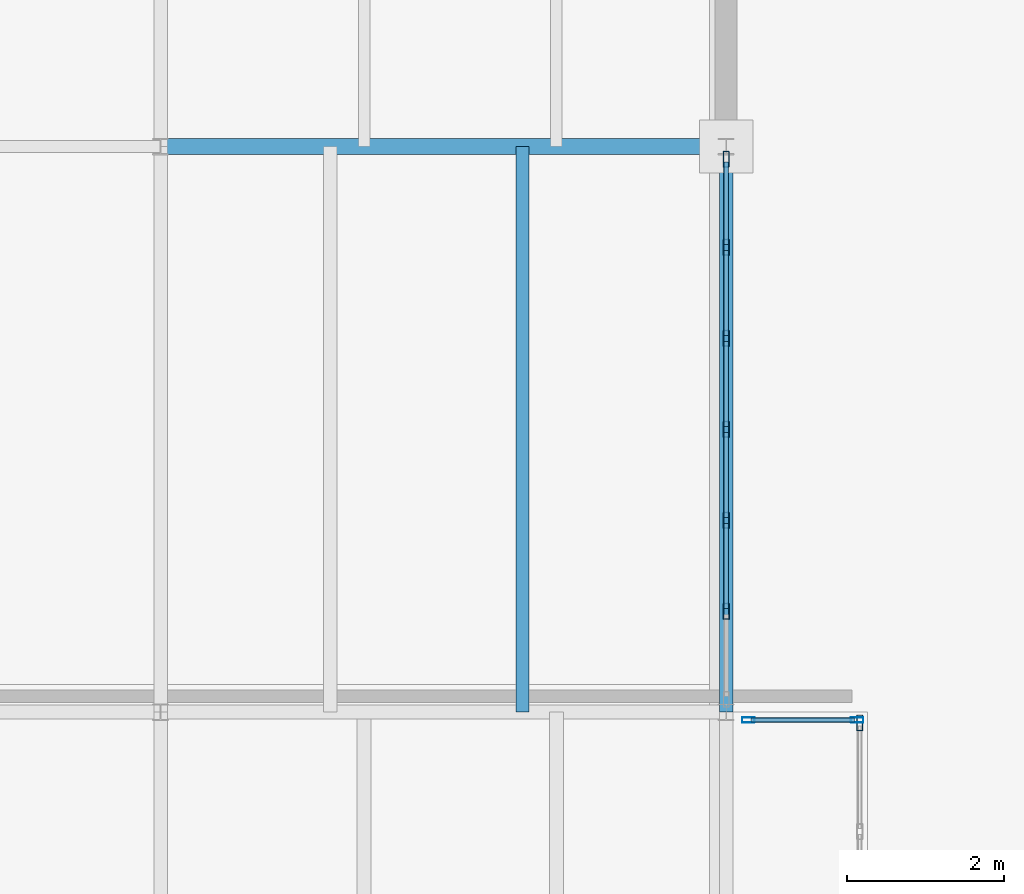
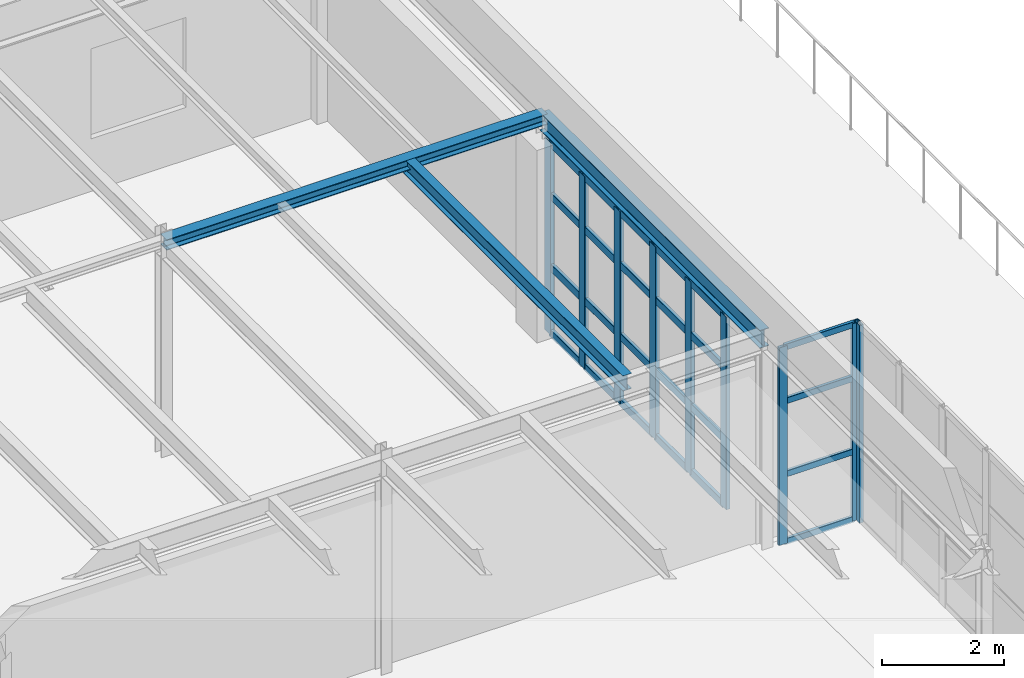
# One storey, part 35 of 43: 33 members, 3 beams, 3 elements without a shape of their own.
"""IFC4 building model written with IfcOpenShell, lengths in metres."""

import ifcopenshell
import ifcopenshell.guid

model = None  # the IFC model being written
_history = None  # IfcOwnerHistory: only IFC2X3 demands one
_inside = {}  # id of a spatial element -> (the spatial element, [elements in it])
_under = {}  # id of a project, library or spatial element -> (it, [spatial elements below it])
_declared = {}  # id of a project -> (the project, [libraries it declares])
_typed = {}  # id of a type object -> (the type object, [elements of that type])
_made_of = {}  # id of a material, layer set ... -> (it, [elements and type objects made of it])


def new_model(schema):
    """Start an empty IFC model of exactly this schema.

    Asked for "IFC4X3", IfcOpenShell would pick the latest addendum, in which some entities
    have other attributes; the version numbers below select the first issue.
    IFC2X3 requires an IfcOwnerHistory on every rooted entity: one is made here for all.
    """
    global model, _history
    if schema == "IFC4X3":
        model = ifcopenshell.file(schema_version=(4, 3, 0, 0))
    else:
        model = ifcopenshell.file(schema=schema)
    _inside.clear()
    _under.clear()
    _declared.clear()
    _typed.clear()
    _made_of.clear()
    _history = None
    if model.schema == "IFC2X3":
        org = make("IfcOrganization", Name="unknown")
        user = make(
            "IfcPersonAndOrganization",
            ThePerson=make("IfcPerson", FamilyName="unknown"),
            TheOrganization=org,
        )
        app = make(
            "IfcApplication",
            ApplicationDeveloper=org,
            Version="unknown",
            ApplicationFullName="unknown",
            ApplicationIdentifier="unknown",
        )
        _history = make(
            "IfcOwnerHistory",
            OwningUser=user,
            OwningApplication=app,
            ChangeAction="ADDED",
            CreationDate=0,
        )
    return model


def make(cls, **values):
    """One entity of the class cls with the attributes given. An attribute that is None is left unset."""
    return model.create_entity(
        cls, **{name: value for name, value in values.items() if value is not None}
    )


def rooted(cls, **values):
    """An entity with a GlobalId (a new one), such as an element, a storey or a relation."""
    return make(cls, GlobalId=ifcopenshell.guid.new(), OwnerHistory=_history, **values)


def si_unit(unit_type, name, prefix=None):
    """IfcSIUnit, for example si_unit("LENGTHUNIT", "METRE", prefix="MILLI")."""
    return make("IfcSIUnit", UnitType=unit_type, Prefix=prefix, Name=name)


def assignment(units):
    """IfcUnitAssignment: the units of a project."""
    return None if units is None else make("IfcUnitAssignment", Units=units)


def point(xyz):
    """IfcCartesianPoint."""
    return None if xyz is None else make("IfcCartesianPoint", Coordinates=xyz)


def direction(xyz):
    """IfcDirection."""
    return None if xyz is None else make("IfcDirection", DirectionRatios=xyz)


def frame(location, z_axis=None, x_axis=None):
    """IfcAxis2Placement3D, a coordinate frame: its origin and axes. An axis left out is left unset."""
    return make(
        "IfcAxis2Placement3D",
        Location=point(location),
        Axis=direction(z_axis),
        RefDirection=direction(x_axis),
    )


def frame_2d(location, x_axis=None):
    """IfcAxis2Placement2D, a coordinate frame in the plane: its origin and x axis."""
    return make(
        "IfcAxis2Placement2D", Location=point(location), RefDirection=direction(x_axis)
    )


def origin():
    """The frame at (0, 0, 0) with its axes left unset."""
    return frame((0.0, 0.0, 0.0))


def origin_2d():
    """The frame at (0, 0) in the plane with its x axis left unset."""
    return frame_2d((0.0, 0.0))


def place(relative_to, where):
    """IfcLocalPlacement: puts the frame where relative to a parent placement (None: the world)."""
    return make(
        "IfcLocalPlacement", PlacementRelTo=relative_to, RelativePlacement=where
    )


def context(
    kind, dimensions, precision=None, world=None, true_north=None, identifier=None
):
    """IfcGeometricRepresentationContext, for example the 3D "Model" context."""
    return make(
        "IfcGeometricRepresentationContext",
        ContextIdentifier=identifier,
        ContextType=kind,
        CoordinateSpaceDimension=dimensions,
        Precision=precision,
        WorldCoordinateSystem=world,
        TrueNorth=true_north,
    )


def subcontext(parent, identifier, kind, view, scale=None):
    """IfcGeometricRepresentationSubContext, for example "Body" below "Model"."""
    return make(
        "IfcGeometricRepresentationSubContext",
        ContextIdentifier=identifier,
        ContextType=kind,
        ParentContext=parent,
        TargetScale=scale,
        TargetView=view,
    )


def project(units=None, contexts=None):
    """IfcProject with its units and contexts."""
    return rooted(
        "IfcProject",
        Name="project",
        RepresentationContexts=contexts,
        UnitsInContext=assignment(units),
    )


def spatial(cls, under=None, at=None, **own):
    """A site, building, storey or space (cls), placed at a placement, below another one or the project."""
    s = rooted(cls, ObjectPlacement=at, **own)
    if under is not None:
        _under.setdefault(under.id(), (under, []))[1].append(s)
    return s


def profile(cls, at=None, kind="AREA", **sizes):
    """A parametric profile (cls). Its sizes go by their IFC names, for example OverallWidth=200.0."""
    return make(cls, ProfileType=kind, Position=at, **sizes)


def hollow_rectangle(**sizes):
    """IfcRectangleHollowProfileDef."""
    return profile("IfcRectangleHollowProfileDef", **sizes)


def i_section(**sizes):
    """IfcIShapeProfileDef."""
    return profile("IfcIShapeProfileDef", **sizes)


def extrude(swept, where, along, depth):
    """IfcExtrudedAreaSolid: the profile swept, set in the frame where, extruded along a direction by depth."""
    return make(
        "IfcExtrudedAreaSolid",
        SweptArea=swept,
        Position=where,
        ExtrudedDirection=direction(along),
        Depth=depth,
    )


def shape(context_of_items, identifier, shape_type, items):
    """IfcShapeRepresentation: the items that make up one representation, for example the "Body"."""
    return make(
        "IfcShapeRepresentation",
        ContextOfItems=context_of_items,
        RepresentationIdentifier=identifier,
        RepresentationType=shape_type,
        Items=items,
    )


def material(Name=None, Category=None):
    """IfcMaterial."""
    return make("IfcMaterial", Name=Name, Category=Category)


def layer(
    of_material, thickness, ventilated=None, Name=None, Category=None, Priority=None
):
    """IfcMaterialLayer: one layer of a wall or slab, of a material (None: an air gap)."""
    return make(
        "IfcMaterialLayer",
        Material=of_material,
        LayerThickness=thickness,
        IsVentilated=ventilated,
        Name=Name,
        Category=Category,
        Priority=Priority,
    )


def layer_set(layers, Name=None):
    """IfcMaterialLayerSet."""
    return make("IfcMaterialLayerSet", MaterialLayers=layers, LayerSetName=Name)


def material_profile(
    of_material, cross_section, Name=None, Category=None, Priority=None
):
    """IfcMaterialProfile: a cross section and its material."""
    return make(
        "IfcMaterialProfile",
        Name=Name,
        Material=of_material,
        Profile=cross_section,
        Priority=Priority,
        Category=Category,
    )


def profile_set(profiles, Name=None, composite=None):
    """IfcMaterialProfileSet."""
    return make(
        "IfcMaterialProfileSet",
        Name=Name,
        MaterialProfiles=profiles,
        CompositeProfile=composite,
    )


def made_of(thing, what):
    """Note that an element or type object is made of a material, layer set ...; save() writes the relation."""
    if what is not None:
        _made_of.setdefault(what.id(), (what, []))[1].append(thing)
    return thing


def type_object(cls, material=None, **own):
    """A type object (cls), such as IfcWallType, which elements share."""
    return made_of(rooted(cls, **own), material)


def element(
    cls,
    number,
    at=None,
    inside=None,
    cuts=None,
    type_object=None,
    material=None,
    context=None,
    identifier="Body",
    shape_type=None,
    held_by="IfcProductDefinitionShape",
    body=None,
    shapes=None,
    **own,
):
    """One element of the class cls, such as IfcWall. Its Tag is "e" and its number.

    at: its placement. inside: the storey or other place that contains it. cuts: it is an
    opening in that element (IfcRelVoidsElement). A single representation is given by context,
    identifier, shape_type and body (its items); several are given by shapes. held_by: the class
    of the entity that holds the representations. save() writes the other relations.
    """
    e = rooted(cls, Tag="e%d" % number, ObjectPlacement=at, **own)
    if body is not None:
        shapes = [shape(context, identifier, shape_type, body)]
    if shapes is not None:
        e.Representation = make(held_by, Representations=shapes)
    if inside is not None:
        _inside.setdefault(inside.id(), (inside, []))[1].append(e)
    if cuts is not None:
        rooted(
            "IfcRelVoidsElement", RelatingBuildingElement=cuts, RelatedOpeningElement=e
        )
    if type_object is not None:
        _typed.setdefault(type_object.id(), (type_object, []))[1].append(e)
    return made_of(e, material)


def aggregate(whole, parts):
    """IfcRelAggregates: a whole, such as a stair, and the parts it consists of."""
    return rooted("IfcRelAggregates", RelatingObject=whole, RelatedObjects=parts)


def save(model, path):
    """Write the relations noted so far, then the file.

    IfcRelAggregates (storeys below a building ...), IfcRelContainedInSpatialStructure (elements
    in a storey), IfcRelDefinesByType, IfcRelAssociatesMaterial and IfcRelDeclares: one each for
    every whole, place, type object, material and project.
    """
    for whole, parts in _under.values():
        aggregate(whole, parts)
    for where, things in _inside.values():
        rooted(
            "IfcRelContainedInSpatialStructure",
            RelatedElements=things,
            RelatingStructure=where,
        )
    for kind, things in _typed.values():
        rooted("IfcRelDefinesByType", RelatedObjects=things, RelatingType=kind)
    for what, things in _made_of.values():
        rooted("IfcRelAssociatesMaterial", RelatedObjects=things, RelatingMaterial=what)
    for by, libraries in _declared.values():
        rooted("IfcRelDeclares", RelatingContext=by, RelatedDefinitions=libraries)
    model.write(path)


model = new_model("IFC4")

# Units and contexts
model_context = context("Model", 3, precision=1e-05, world=origin(), true_north=direction((0.0, 1.0)))
body_context = subcontext(model_context, "Body", "Model", "MODEL_VIEW")
ifc_project = project(units=[si_unit("LENGTHUNIT", "METRE"), si_unit("AREAUNIT", "SQUARE_METRE"), si_unit("VOLUMEUNIT", "CUBIC_METRE"), si_unit("PLANEANGLEUNIT", "RADIAN"), si_unit("MASSUNIT", "GRAM", prefix="KILO")], contexts=[model_context])

# Site, building, storey
site_placement = place(None, origin())
site = spatial("IfcSite", under=ifc_project, at=site_placement, CompositionType="ELEMENT")
building_placement = place(site_placement, origin())
building = spatial("IfcBuilding", under=site, at=building_placement, Name="Kemerveld Promenade Tramway Depot", CompositionType="ELEMENT")
storey_placement = place(building_placement, frame((0.0, 0.0, 18.89990234375)))
storey = spatial("IfcBuildingStorey", under=building, at=storey_placement, Name="L04", CompositionType="ELEMENT", Elevation=18.89990234375)

# Beams
ifc_material_1 = material(Name="Steel S355", Category="steel")
ifc_material_profile_1 = material_profile(ifc_material_1, i_section(OverallWidth=0.172119140625, OverallDepth=0.35791015625, WebThickness=0.008056640625, FlangeThickness=0.012939453125, FilletRadius=0.01025390625, at=origin_2d()), Name="356x171x57 UB")
ifc_profile_set_1 = profile_set([ifc_material_profile_1], Name="Steel S355")
beam_type_1 = type_object("IfcBeamType", Name="BM-G08", PredefinedType="BEAM", material=ifc_profile_set_1)
beam_1_placement = place(storey_placement, frame((36.0, 43.199951171875, 4.14111328125), z_axis=(0.0, 1.0, 0.0), x_axis=(-1.0, 0.0, 0.0)))
element("IfcBeam", 1, at=beam_1_placement, inside=storey, type_object=beam_type_1, Name="BMY-L04-06-G-H", PredefinedType="BEAM", context=body_context, shape_type="SweptSolid", body=[
    extrude(i_section(OverallWidth=0.172119140625, OverallDepth=0.35791015625, WebThickness=0.008056640625, FlangeThickness=0.012939453125, FilletRadius=0.01025390625, at=origin_2d()), origin(), (0.0, 0.0, 1.0), 7.199951171875),
])
ifc_material_profile_2 = material_profile(ifc_material_1, i_section(OverallWidth=0.165771484375, OverallDepth=0.306640625, WebThickness=0.006591796875, FlangeThickness=0.01171875, FilletRadius=0.0087890625, at=origin_2d()), Name="305x165x46 UB")
ifc_profile_set_2 = profile_set([ifc_material_profile_2], Name="Steel S355")
beam_type_2 = type_object("IfcBeamType", Name="BM-J01", PredefinedType="JOIST", material=ifc_profile_set_2)
beam_2_placement = place(storey_placement, frame((33.407958984375, 43.199951171875, 4.166748046875), z_axis=(0.0, 1.0, 0.0), x_axis=(-1.0, 0.0, 0.0)))
element("IfcBeam", 2, at=beam_2_placement, inside=storey, type_object=beam_type_2, Name="JST-L04-05-G-2", PredefinedType="JOIST", context=body_context, shape_type="SweptSolid", body=[
    extrude(i_section(OverallWidth=0.165771484375, OverallDepth=0.306640625, WebThickness=0.006591796875, FlangeThickness=0.01171875, FilletRadius=0.0087890625, at=origin_2d()), origin(), (0.0, 0.0, 1.0), 7.199951171875),
])
ifc_material_profile_3 = material_profile(ifc_material_1, i_section(OverallWidth=0.205810546875, OverallDepth=0.209716796875, WebThickness=0.009521484375, FlangeThickness=0.01416015625, FilletRadius=0.01025390625, at=origin_2d()), Name="203x203x60 UC")
ifc_profile_set_3 = profile_set([ifc_material_profile_3], Name="Steel S355")
beam_type_3 = type_object("IfcBeamType", Name="BM-LN3", PredefinedType="LINTEL", material=ifc_profile_set_3)
beam_3_placement = place(storey_placement, frame((28.800048828125, 50.39990234375, 4.21533203125), z_axis=(1.0, 0.0, 0.0), x_axis=(0.0, 1.0, 0.0)))
element("IfcBeam", 3, at=beam_3_placement, inside=storey, type_object=beam_type_3, Name="BMX-L04-05-06-H", PredefinedType="LINTEL", context=body_context, shape_type="SweptSolid", body=[
    extrude(i_section(OverallWidth=0.205810546875, OverallDepth=0.209716796875, WebThickness=0.009521484375, FlangeThickness=0.01416015625, FilletRadius=0.01025390625, at=origin_2d()), origin(), (0.0, 0.0, 1.0), 7.199951171875),
])

# Curtain wall, members
ifc_material_2 = material(Name="Bronze anodised aluminium and solar glass", Category="aluminium")
ifc_layer_1 = layer(ifc_material_2, 0.159912109375)
ifc_layer_set_1 = layer_set([ifc_layer_1], Name="CW-SYS-03")
curtain_wall_type_1 = type_object("IfcCurtainWallType", Name="CW-SYS-03", PredefinedType="USERDEFINED", material=ifc_layer_set_1)
curtain_wall_1_placement = place(storey_placement, origin())
curtain_wall_1 = element("IfcCurtainWall", 4, at=curtain_wall_1_placement, inside=storey, type_object=curtain_wall_type_1, Name="CW-L04-CUMBA-N", ObjectType="GLAZED_CURTAIN_WALL", PredefinedType="USERDEFINED")
ifc_material_3 = material(Name="Bronze anodised aluminium", Category="aluminium")
ifc_material_profile_4 = material_profile(ifc_material_3, hollow_rectangle(XDim=0.06494140625, YDim=0.159912109375, WallThickness=0.00390625, InnerFilletRadius=0.001953125, OuterFilletRadius=0.00390625, at=origin_2d()), Name="CW-MUL-160x65")
ifc_profile_set_4 = profile_set([ifc_material_profile_4], Name="Bronze anodised aluminium")
member_type_1 = type_object("IfcMemberType", Name="CW-MUL-A", PredefinedType="MULLION", material=ifc_profile_set_4)
member_1_placement = place(storey_placement, frame((36.282470703125, 43.10009765625, 0.0), z_axis=(0.0, 0.0, 1.0), x_axis=(0.0, 1.0, 0.0)))
member_1 = element("IfcMember", 5, at=member_1_placement, type_object=member_type_1, Name="CW03 mullion 1", PredefinedType="MULLION", context=body_context, shape_type="SweptSolid", body=[
    extrude(hollow_rectangle(XDim=0.06494140625, YDim=0.159912109375, WallThickness=0.00390625, InnerFilletRadius=0.001953125, OuterFilletRadius=0.00390625, at=origin_2d()), origin(), (0.0, 0.0, 1.0), 3.9501953125),
])
member_2_placement = place(storey_placement, frame((37.66748046875, 43.10009765625, 0.0), z_axis=(0.0, 0.0, 1.0), x_axis=(0.0, 1.0, 0.0)))
member_2 = element("IfcMember", 6, at=member_2_placement, type_object=member_type_1, Name="CW03 mullion 2", PredefinedType="MULLION", context=body_context, shape_type="SweptSolid", body=[
    extrude(hollow_rectangle(XDim=0.06494140625, YDim=0.159912109375, WallThickness=0.00390625, InnerFilletRadius=0.001953125, OuterFilletRadius=0.00390625, at=origin_2d()), origin(), (0.0, 0.0, 1.0), 3.9501953125),
])

ifc_layer_2 = layer(ifc_material_2, 0.199951171875)
ifc_layer_set_2 = layer_set([ifc_layer_2], Name="CW-SYS-06")
curtain_wall_type_2 = type_object("IfcCurtainWallType", Name="CW-SYS-06", PredefinedType="USERDEFINED", material=ifc_layer_set_2)
curtain_wall_2_placement = place(storey_placement, origin())
curtain_wall_2 = element("IfcCurtainWall", 7, at=curtain_wall_2_placement, inside=storey, type_object=curtain_wall_type_2, Name="CW-L04-V5EN-02", ObjectType="GLAZED_CURTAIN_WALL", PredefinedType="USERDEFINED")
ifc_material_profile_5 = material_profile(ifc_material_3, hollow_rectangle(XDim=0.074951171875, YDim=0.199951171875, WallThickness=0.0048828125, InnerFilletRadius=0.001953125, OuterFilletRadius=0.0048828125, at=origin_2d()), Name="CW-MUL-200x75")
ifc_profile_set_5 = profile_set([ifc_material_profile_5], Name="Bronze anodised aluminium")
member_type_2 = type_object("IfcMemberType", Name="CW-MUL-B", PredefinedType="MULLION", material=ifc_profile_set_5)
member_3_placement = place(storey_placement, frame((36.0, 50.23779296875, 0.0), z_axis=(0.0, 0.0, 1.0), x_axis=(1.0, 0.0, 0.0)))
member_3 = element("IfcMember", 8, at=member_3_placement, type_object=member_type_2, Name="CW06 mullion 1", PredefinedType="MULLION", context=body_context, shape_type="SweptSolid", body=[
    extrude(hollow_rectangle(XDim=0.074951171875, YDim=0.199951171875, WallThickness=0.0048828125, InnerFilletRadius=0.001953125, OuterFilletRadius=0.0048828125, at=origin_2d()), origin(), (0.0, 0.0, 1.0), 3.85009765625),
])
member_4_placement = place(storey_placement, frame((36.0, 49.11669921875, 0.0), z_axis=(0.0, 0.0, 1.0), x_axis=(1.0, 0.0, 0.0)))
member_4 = element("IfcMember", 9, at=member_4_placement, type_object=member_type_2, Name="CW06 mullion 2", PredefinedType="MULLION", context=body_context, shape_type="SweptSolid", body=[
    extrude(hollow_rectangle(XDim=0.074951171875, YDim=0.199951171875, WallThickness=0.0048828125, InnerFilletRadius=0.001953125, OuterFilletRadius=0.0048828125, at=origin_2d()), origin(), (0.0, 0.0, 1.0), 3.85009765625),
])
member_5_placement = place(storey_placement, frame((36.0, 47.95849609375, 0.0), z_axis=(0.0, 0.0, 1.0), x_axis=(1.0, 0.0, 0.0)))
member_5 = element("IfcMember", 10, at=member_5_placement, type_object=member_type_2, Name="CW06 mullion 3", PredefinedType="MULLION", context=body_context, shape_type="SweptSolid", body=[
    extrude(hollow_rectangle(XDim=0.074951171875, YDim=0.199951171875, WallThickness=0.0048828125, InnerFilletRadius=0.001953125, OuterFilletRadius=0.0048828125, at=origin_2d()), origin(), (0.0, 0.0, 1.0), 3.85009765625),
])
member_6_placement = place(storey_placement, frame((36.0, 46.800048828125, 0.0), z_axis=(0.0, 0.0, 1.0), x_axis=(1.0, 0.0, 0.0)))
member_6 = element("IfcMember", 11, at=member_6_placement, type_object=member_type_2, Name="CW06 mullion 4", PredefinedType="MULLION", context=body_context, shape_type="SweptSolid", body=[
    extrude(hollow_rectangle(XDim=0.074951171875, YDim=0.199951171875, WallThickness=0.0048828125, InnerFilletRadius=0.001953125, OuterFilletRadius=0.0048828125, at=origin_2d()), origin(), (0.0, 0.0, 1.0), 3.85009765625),
])
member_7_placement = place(storey_placement, frame((36.0, 45.6416015625, 0.0), z_axis=(0.0, 0.0, 1.0), x_axis=(1.0, 0.0, 0.0)))
member_7 = element("IfcMember", 12, at=member_7_placement, type_object=member_type_2, Name="CW06 mullion 5", PredefinedType="MULLION", context=body_context, shape_type="SweptSolid", body=[
    extrude(hollow_rectangle(XDim=0.074951171875, YDim=0.199951171875, WallThickness=0.0048828125, InnerFilletRadius=0.001953125, OuterFilletRadius=0.0048828125, at=origin_2d()), origin(), (0.0, 0.0, 1.0), 3.85009765625),
])
member_8_placement = place(storey_placement, frame((36.0, 44.483154296875, 0.0), z_axis=(0.0, 0.0, 1.0), x_axis=(1.0, 0.0, 0.0)))
member_8 = element("IfcMember", 13, at=member_8_placement, type_object=member_type_2, Name="CW06 mullion 6", PredefinedType="MULLION", context=body_context, shape_type="SweptSolid", body=[
    extrude(hollow_rectangle(XDim=0.074951171875, YDim=0.199951171875, WallThickness=0.0048828125, InnerFilletRadius=0.001953125, OuterFilletRadius=0.0048828125, at=origin_2d()), origin(), (0.0, 0.0, 1.0), 3.85009765625),
])

# Curtain wall, member
ifc_layer_3 = layer(ifc_material_2, 0.199951171875)
ifc_layer_set_3 = layer_set([ifc_layer_3], Name="CW-SYS-02")
curtain_wall_type_3 = type_object("IfcCurtainWallType", Name="CW-SYS-02", PredefinedType="USERDEFINED", material=ifc_layer_set_3)
curtain_wall_3_placement = place(storey_placement, origin())
curtain_wall_3 = element("IfcCurtainWall", 14, at=curtain_wall_3_placement, inside=storey, type_object=curtain_wall_type_3, Name="CW-L04-CUMBA-E", ObjectType="GLAZED_CURTAIN_WALL", PredefinedType="USERDEFINED")
member_9_placement = place(storey_placement, frame((37.699951171875, 43.0625, 0.0), z_axis=(0.0, 0.0, 1.0), x_axis=(1.0, 0.0, 0.0)))
member_9 = element("IfcMember", 15, at=member_9_placement, type_object=member_type_2, Name="CW02 mullion 1", PredefinedType="MULLION", context=body_context, shape_type="SweptSolid", body=[
    extrude(hollow_rectangle(XDim=0.074951171875, YDim=0.199951171875, WallThickness=0.0048828125, InnerFilletRadius=0.001953125, OuterFilletRadius=0.0048828125, at=origin_2d()), origin(), (0.0, 0.0, 1.0), 3.9501953125),
])
aggregate(curtain_wall_3, [member_9])

# Member
ifc_material_profile_6 = material_profile(ifc_material_3, hollow_rectangle(XDim=0.06005859375, YDim=0.1201171875, WallThickness=0.00390625, InnerFilletRadius=0.001953125, OuterFilletRadius=0.00390625, at=origin_2d()), Name="CW-TRN-120x60")
ifc_profile_set_6 = profile_set([ifc_material_profile_6], Name="Bronze anodised aluminium")
member_type_3 = type_object("IfcMemberType", Name="CW-TRN-A", PredefinedType="USERDEFINED", material=ifc_profile_set_6)
member_10_placement = place(storey_placement, frame((36.31494140625, 43.10009765625, 0.030029296875), z_axis=(1.0, 0.0, 0.0), x_axis=(0.0, 1.0, 0.0)))
member_10 = element("IfcMember", 16, at=member_10_placement, type_object=member_type_3, Name="CW03 transom 1.1", ObjectType="TRANSOM", PredefinedType="USERDEFINED", context=body_context, shape_type="SweptSolid", body=[
    extrude(hollow_rectangle(XDim=0.06005859375, YDim=0.1201171875, WallThickness=0.00390625, InnerFilletRadius=0.001953125, OuterFilletRadius=0.00390625, at=origin_2d()), origin(), (0.0, 0.0, 1.0), 1.320068359375),
])

member_11_placement = place(storey_placement, frame((36.31494140625, 43.10009765625, 1.382080078125), z_axis=(1.0, 0.0, 0.0), x_axis=(0.0, 1.0, 0.0)))
member_11 = element("IfcMember", 17, at=member_11_placement, type_object=member_type_3, Name="CW03 transom 1.2", ObjectType="TRANSOM", PredefinedType="USERDEFINED", context=body_context, shape_type="SweptSolid", body=[
    extrude(hollow_rectangle(XDim=0.06005859375, YDim=0.1201171875, WallThickness=0.00390625, InnerFilletRadius=0.001953125, OuterFilletRadius=0.00390625, at=origin_2d()), origin(), (0.0, 0.0, 1.0), 1.320068359375),
])

member_12_placement = place(storey_placement, frame((36.31494140625, 43.10009765625, 2.843994140625), z_axis=(1.0, 0.0, 0.0), x_axis=(0.0, 1.0, 0.0)))
member_12 = element("IfcMember", 18, at=member_12_placement, type_object=member_type_3, Name="CW03 transom 1.3", ObjectType="TRANSOM", PredefinedType="USERDEFINED", context=body_context, shape_type="SweptSolid", body=[
    extrude(hollow_rectangle(XDim=0.06005859375, YDim=0.1201171875, WallThickness=0.00390625, InnerFilletRadius=0.001953125, OuterFilletRadius=0.00390625, at=origin_2d()), origin(), (0.0, 0.0, 1.0), 1.320068359375),
])

member_13_placement = place(storey_placement, frame((36.31494140625, 43.10009765625, 3.920166015625), z_axis=(1.0, 0.0, 0.0), x_axis=(0.0, 1.0, 0.0)))
member_13 = element("IfcMember", 19, at=member_13_placement, type_object=member_type_3, Name="CW03 transom 1.4", ObjectType="TRANSOM", PredefinedType="USERDEFINED", context=body_context, shape_type="SweptSolid", body=[
    extrude(hollow_rectangle(XDim=0.06005859375, YDim=0.1201171875, WallThickness=0.00390625, InnerFilletRadius=0.001953125, OuterFilletRadius=0.00390625, at=origin_2d()), origin(), (0.0, 0.0, 1.0), 1.320068359375),
])

aggregate(curtain_wall_1, [member_1, member_2, member_10, member_11, member_12, member_13])

ifc_material_profile_7 = material_profile(ifc_material_3, hollow_rectangle(XDim=0.06494140625, YDim=0.14990234375, WallThickness=0.00439453125, InnerFilletRadius=0.001953125, OuterFilletRadius=0.00439453125, at=origin_2d()), Name="CW-TRN-150x65")
ifc_profile_set_7 = profile_set([ifc_material_profile_7], Name="Bronze anodised aluminium")
member_type_4 = type_object("IfcMemberType", Name="CW-TRN-B", PredefinedType="USERDEFINED", material=ifc_profile_set_7)
member_14_placement = place(storey_placement, frame((36.0, 50.2001953125, 0.03271484375), z_axis=(0.0, -1.0, 0.0), x_axis=(1.0, 0.0, 0.0)))
member_14 = element("IfcMember", 20, at=member_14_placement, type_object=member_type_4, Name="CW06 transom 1.1", ObjectType="TRANSOM", PredefinedType="USERDEFINED", context=body_context, shape_type="SweptSolid", body=[
    extrude(hollow_rectangle(XDim=0.06494140625, YDim=0.14990234375, WallThickness=0.00439453125, InnerFilletRadius=0.001953125, OuterFilletRadius=0.00439453125, at=origin_2d()), origin(), (0.0, 0.0, 1.0), 1.0458984375),
])

member_15_placement = place(storey_placement, frame((36.0, 50.2001953125, 1.34716796875), z_axis=(0.0, -1.0, 0.0), x_axis=(1.0, 0.0, 0.0)))
member_15 = element("IfcMember", 21, at=member_15_placement, type_object=member_type_4, Name="CW06 transom 1.2", ObjectType="TRANSOM", PredefinedType="USERDEFINED", context=body_context, shape_type="SweptSolid", body=[
    extrude(hollow_rectangle(XDim=0.06494140625, YDim=0.14990234375, WallThickness=0.00439453125, InnerFilletRadius=0.001953125, OuterFilletRadius=0.00439453125, at=origin_2d()), origin(), (0.0, 0.0, 1.0), 1.0458984375),
])

member_16_placement = place(storey_placement, frame((36.0, 50.2001953125, 2.772216796875), z_axis=(0.0, -1.0, 0.0), x_axis=(1.0, 0.0, 0.0)))
member_16 = element("IfcMember", 22, at=member_16_placement, type_object=member_type_4, Name="CW06 transom 1.3", ObjectType="TRANSOM", PredefinedType="USERDEFINED", context=body_context, shape_type="SweptSolid", body=[
    extrude(hollow_rectangle(XDim=0.06494140625, YDim=0.14990234375, WallThickness=0.00439453125, InnerFilletRadius=0.001953125, OuterFilletRadius=0.00439453125, at=origin_2d()), origin(), (0.0, 0.0, 1.0), 1.0458984375),
])

member_17_placement = place(storey_placement, frame((36.0, 50.2001953125, 3.817626953125), z_axis=(0.0, -1.0, 0.0), x_axis=(1.0, 0.0, 0.0)))
member_17 = element("IfcMember", 23, at=member_17_placement, type_object=member_type_4, Name="CW06 transom 1.4", ObjectType="TRANSOM", PredefinedType="USERDEFINED", context=body_context, shape_type="SweptSolid", body=[
    extrude(hollow_rectangle(XDim=0.06494140625, YDim=0.14990234375, WallThickness=0.00439453125, InnerFilletRadius=0.001953125, OuterFilletRadius=0.00439453125, at=origin_2d()), origin(), (0.0, 0.0, 1.0), 1.0458984375),
])

member_18_placement = place(storey_placement, frame((36.0, 49.079345703125, 0.03271484375), z_axis=(0.0, -1.0, 0.0), x_axis=(1.0, 0.0, 0.0)))
member_18 = element("IfcMember", 24, at=member_18_placement, type_object=member_type_4, Name="CW06 transom 2.1", ObjectType="TRANSOM", PredefinedType="USERDEFINED", context=body_context, shape_type="SweptSolid", body=[
    extrude(hollow_rectangle(XDim=0.06494140625, YDim=0.14990234375, WallThickness=0.00439453125, InnerFilletRadius=0.001953125, OuterFilletRadius=0.00439453125, at=origin_2d()), origin(), (0.0, 0.0, 1.0), 1.08349609375),
])

member_19_placement = place(storey_placement, frame((36.0, 49.079345703125, 1.34716796875), z_axis=(0.0, -1.0, 0.0), x_axis=(1.0, 0.0, 0.0)))
member_19 = element("IfcMember", 25, at=member_19_placement, type_object=member_type_4, Name="CW06 transom 2.2", ObjectType="TRANSOM", PredefinedType="USERDEFINED", context=body_context, shape_type="SweptSolid", body=[
    extrude(hollow_rectangle(XDim=0.06494140625, YDim=0.14990234375, WallThickness=0.00439453125, InnerFilletRadius=0.001953125, OuterFilletRadius=0.00439453125, at=origin_2d()), origin(), (0.0, 0.0, 1.0), 1.08349609375),
])

member_20_placement = place(storey_placement, frame((36.0, 49.079345703125, 2.772216796875), z_axis=(0.0, -1.0, 0.0), x_axis=(1.0, 0.0, 0.0)))
member_20 = element("IfcMember", 26, at=member_20_placement, type_object=member_type_4, Name="CW06 transom 2.3", ObjectType="TRANSOM", PredefinedType="USERDEFINED", context=body_context, shape_type="SweptSolid", body=[
    extrude(hollow_rectangle(XDim=0.06494140625, YDim=0.14990234375, WallThickness=0.00439453125, InnerFilletRadius=0.001953125, OuterFilletRadius=0.00439453125, at=origin_2d()), origin(), (0.0, 0.0, 1.0), 1.08349609375),
])

member_21_placement = place(storey_placement, frame((36.0, 49.079345703125, 3.817626953125), z_axis=(0.0, -1.0, 0.0), x_axis=(1.0, 0.0, 0.0)))
member_21 = element("IfcMember", 27, at=member_21_placement, type_object=member_type_4, Name="CW06 transom 2.4", ObjectType="TRANSOM", PredefinedType="USERDEFINED", context=body_context, shape_type="SweptSolid", body=[
    extrude(hollow_rectangle(XDim=0.06494140625, YDim=0.14990234375, WallThickness=0.00439453125, InnerFilletRadius=0.001953125, OuterFilletRadius=0.00439453125, at=origin_2d()), origin(), (0.0, 0.0, 1.0), 1.08349609375),
])

member_22_placement = place(storey_placement, frame((36.0, 47.9208984375, 0.03271484375), z_axis=(0.0, -1.0, 0.0), x_axis=(1.0, 0.0, 0.0)))
member_22 = element("IfcMember", 28, at=member_22_placement, type_object=member_type_4, Name="CW06 transom 3.1", ObjectType="TRANSOM", PredefinedType="USERDEFINED", context=body_context, shape_type="SweptSolid", body=[
    extrude(hollow_rectangle(XDim=0.06494140625, YDim=0.14990234375, WallThickness=0.00439453125, InnerFilletRadius=0.001953125, OuterFilletRadius=0.00439453125, at=origin_2d()), origin(), (0.0, 0.0, 1.0), 1.08349609375),
])

member_23_placement = place(storey_placement, frame((36.0, 47.9208984375, 1.34716796875), z_axis=(0.0, -1.0, 0.0), x_axis=(1.0, 0.0, 0.0)))
member_23 = element("IfcMember", 29, at=member_23_placement, type_object=member_type_4, Name="CW06 transom 3.2", ObjectType="TRANSOM", PredefinedType="USERDEFINED", context=body_context, shape_type="SweptSolid", body=[
    extrude(hollow_rectangle(XDim=0.06494140625, YDim=0.14990234375, WallThickness=0.00439453125, InnerFilletRadius=0.001953125, OuterFilletRadius=0.00439453125, at=origin_2d()), origin(), (0.0, 0.0, 1.0), 1.08349609375),
])

member_24_placement = place(storey_placement, frame((36.0, 47.9208984375, 2.772216796875), z_axis=(0.0, -1.0, 0.0), x_axis=(1.0, 0.0, 0.0)))
member_24 = element("IfcMember", 30, at=member_24_placement, type_object=member_type_4, Name="CW06 transom 3.3", ObjectType="TRANSOM", PredefinedType="USERDEFINED", context=body_context, shape_type="SweptSolid", body=[
    extrude(hollow_rectangle(XDim=0.06494140625, YDim=0.14990234375, WallThickness=0.00439453125, InnerFilletRadius=0.001953125, OuterFilletRadius=0.00439453125, at=origin_2d()), origin(), (0.0, 0.0, 1.0), 1.08349609375),
])

member_25_placement = place(storey_placement, frame((36.0, 47.9208984375, 3.817626953125), z_axis=(0.0, -1.0, 0.0), x_axis=(1.0, 0.0, 0.0)))
member_25 = element("IfcMember", 31, at=member_25_placement, type_object=member_type_4, Name="CW06 transom 3.4", ObjectType="TRANSOM", PredefinedType="USERDEFINED", context=body_context, shape_type="SweptSolid", body=[
    extrude(hollow_rectangle(XDim=0.06494140625, YDim=0.14990234375, WallThickness=0.00439453125, InnerFilletRadius=0.001953125, OuterFilletRadius=0.00439453125, at=origin_2d()), origin(), (0.0, 0.0, 1.0), 1.08349609375),
])

member_26_placement = place(storey_placement, frame((36.0, 46.762451171875, 0.03271484375), z_axis=(0.0, -1.0, 0.0), x_axis=(1.0, 0.0, 0.0)))
member_26 = element("IfcMember", 32, at=member_26_placement, type_object=member_type_4, Name="CW06 transom 4.1", ObjectType="TRANSOM", PredefinedType="USERDEFINED", context=body_context, shape_type="SweptSolid", body=[
    extrude(hollow_rectangle(XDim=0.06494140625, YDim=0.14990234375, WallThickness=0.00439453125, InnerFilletRadius=0.001953125, OuterFilletRadius=0.00439453125, at=origin_2d()), origin(), (0.0, 0.0, 1.0), 1.083251953125),
])

member_27_placement = place(storey_placement, frame((36.0, 46.762451171875, 1.34716796875), z_axis=(0.0, -1.0, 0.0), x_axis=(1.0, 0.0, 0.0)))
member_27 = element("IfcMember", 33, at=member_27_placement, type_object=member_type_4, Name="CW06 transom 4.2", ObjectType="TRANSOM", PredefinedType="USERDEFINED", context=body_context, shape_type="SweptSolid", body=[
    extrude(hollow_rectangle(XDim=0.06494140625, YDim=0.14990234375, WallThickness=0.00439453125, InnerFilletRadius=0.001953125, OuterFilletRadius=0.00439453125, at=origin_2d()), origin(), (0.0, 0.0, 1.0), 1.083251953125),
])

member_28_placement = place(storey_placement, frame((36.0, 46.762451171875, 2.772216796875), z_axis=(0.0, -1.0, 0.0), x_axis=(1.0, 0.0, 0.0)))
member_28 = element("IfcMember", 34, at=member_28_placement, type_object=member_type_4, Name="CW06 transom 4.3", ObjectType="TRANSOM", PredefinedType="USERDEFINED", context=body_context, shape_type="SweptSolid", body=[
    extrude(hollow_rectangle(XDim=0.06494140625, YDim=0.14990234375, WallThickness=0.00439453125, InnerFilletRadius=0.001953125, OuterFilletRadius=0.00439453125, at=origin_2d()), origin(), (0.0, 0.0, 1.0), 1.083251953125),
])

member_29_placement = place(storey_placement, frame((36.0, 46.762451171875, 3.817626953125), z_axis=(0.0, -1.0, 0.0), x_axis=(1.0, 0.0, 0.0)))
member_29 = element("IfcMember", 35, at=member_29_placement, type_object=member_type_4, Name="CW06 transom 4.4", ObjectType="TRANSOM", PredefinedType="USERDEFINED", context=body_context, shape_type="SweptSolid", body=[
    extrude(hollow_rectangle(XDim=0.06494140625, YDim=0.14990234375, WallThickness=0.00439453125, InnerFilletRadius=0.001953125, OuterFilletRadius=0.00439453125, at=origin_2d()), origin(), (0.0, 0.0, 1.0), 1.083251953125),
])

member_30_placement = place(storey_placement, frame((36.0, 45.60400390625, 0.03271484375), z_axis=(0.0, -1.0, 0.0), x_axis=(1.0, 0.0, 0.0)))
member_30 = element("IfcMember", 36, at=member_30_placement, type_object=member_type_4, Name="CW06 transom 5.1", ObjectType="TRANSOM", PredefinedType="USERDEFINED", context=body_context, shape_type="SweptSolid", body=[
    extrude(hollow_rectangle(XDim=0.06494140625, YDim=0.14990234375, WallThickness=0.00439453125, InnerFilletRadius=0.001953125, OuterFilletRadius=0.00439453125, at=origin_2d()), origin(), (0.0, 0.0, 1.0), 1.083251953125),
])

member_31_placement = place(storey_placement, frame((36.0, 45.60400390625, 1.34716796875), z_axis=(0.0, -1.0, 0.0), x_axis=(1.0, 0.0, 0.0)))
member_31 = element("IfcMember", 37, at=member_31_placement, type_object=member_type_4, Name="CW06 transom 5.2", ObjectType="TRANSOM", PredefinedType="USERDEFINED", context=body_context, shape_type="SweptSolid", body=[
    extrude(hollow_rectangle(XDim=0.06494140625, YDim=0.14990234375, WallThickness=0.00439453125, InnerFilletRadius=0.001953125, OuterFilletRadius=0.00439453125, at=origin_2d()), origin(), (0.0, 0.0, 1.0), 1.083251953125),
])

member_32_placement = place(storey_placement, frame((36.0, 45.60400390625, 2.772216796875), z_axis=(0.0, -1.0, 0.0), x_axis=(1.0, 0.0, 0.0)))
member_32 = element("IfcMember", 38, at=member_32_placement, type_object=member_type_4, Name="CW06 transom 5.3", ObjectType="TRANSOM", PredefinedType="USERDEFINED", context=body_context, shape_type="SweptSolid", body=[
    extrude(hollow_rectangle(XDim=0.06494140625, YDim=0.14990234375, WallThickness=0.00439453125, InnerFilletRadius=0.001953125, OuterFilletRadius=0.00439453125, at=origin_2d()), origin(), (0.0, 0.0, 1.0), 1.083251953125),
])

member_33_placement = place(storey_placement, frame((36.0, 45.60400390625, 3.817626953125), z_axis=(0.0, -1.0, 0.0), x_axis=(1.0, 0.0, 0.0)))
member_33 = element("IfcMember", 39, at=member_33_placement, type_object=member_type_4, Name="CW06 transom 5.4", ObjectType="TRANSOM", PredefinedType="USERDEFINED", context=body_context, shape_type="SweptSolid", body=[
    extrude(hollow_rectangle(XDim=0.06494140625, YDim=0.14990234375, WallThickness=0.00439453125, InnerFilletRadius=0.001953125, OuterFilletRadius=0.00439453125, at=origin_2d()), origin(), (0.0, 0.0, 1.0), 1.083251953125),
])

aggregate(curtain_wall_2, [member_3, member_4, member_5, member_6, member_7, member_8, member_14, member_15, member_16, member_17, member_18, member_19, member_20, member_21, member_22, member_23, member_24, member_25, member_26, member_27, member_28, member_29, member_30, member_31, member_32, member_33])

save(model, "model.ifc")
